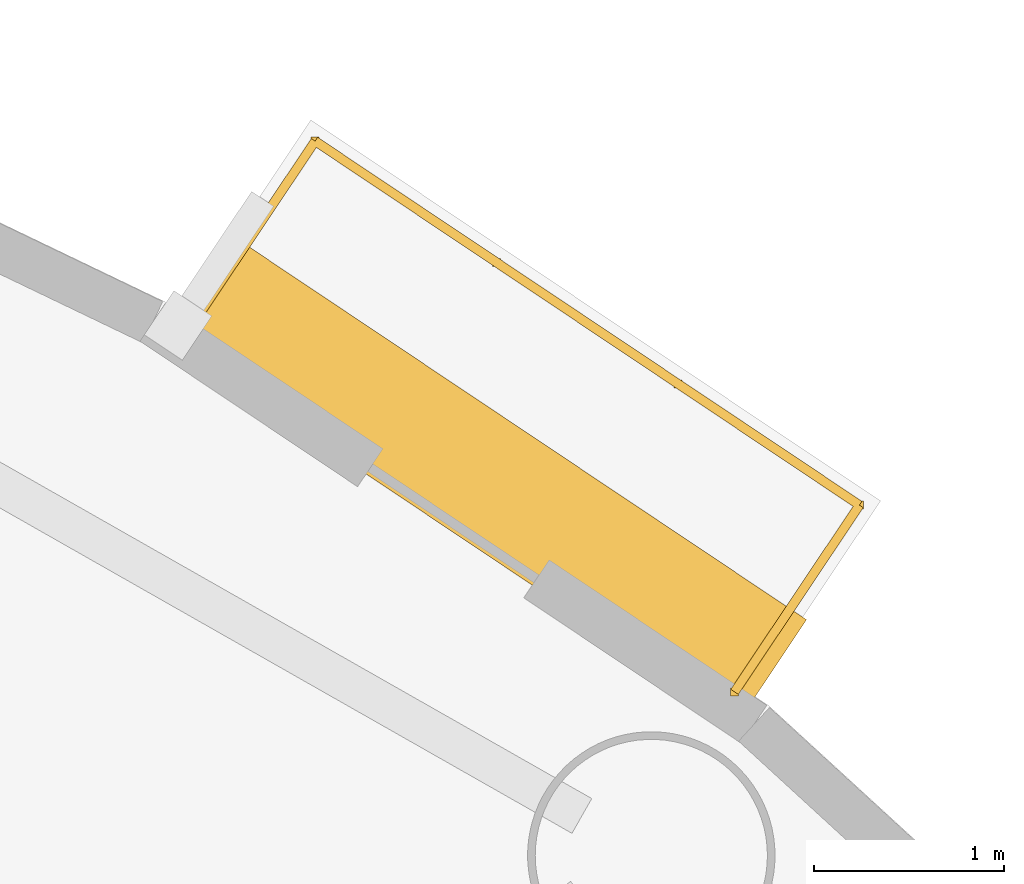
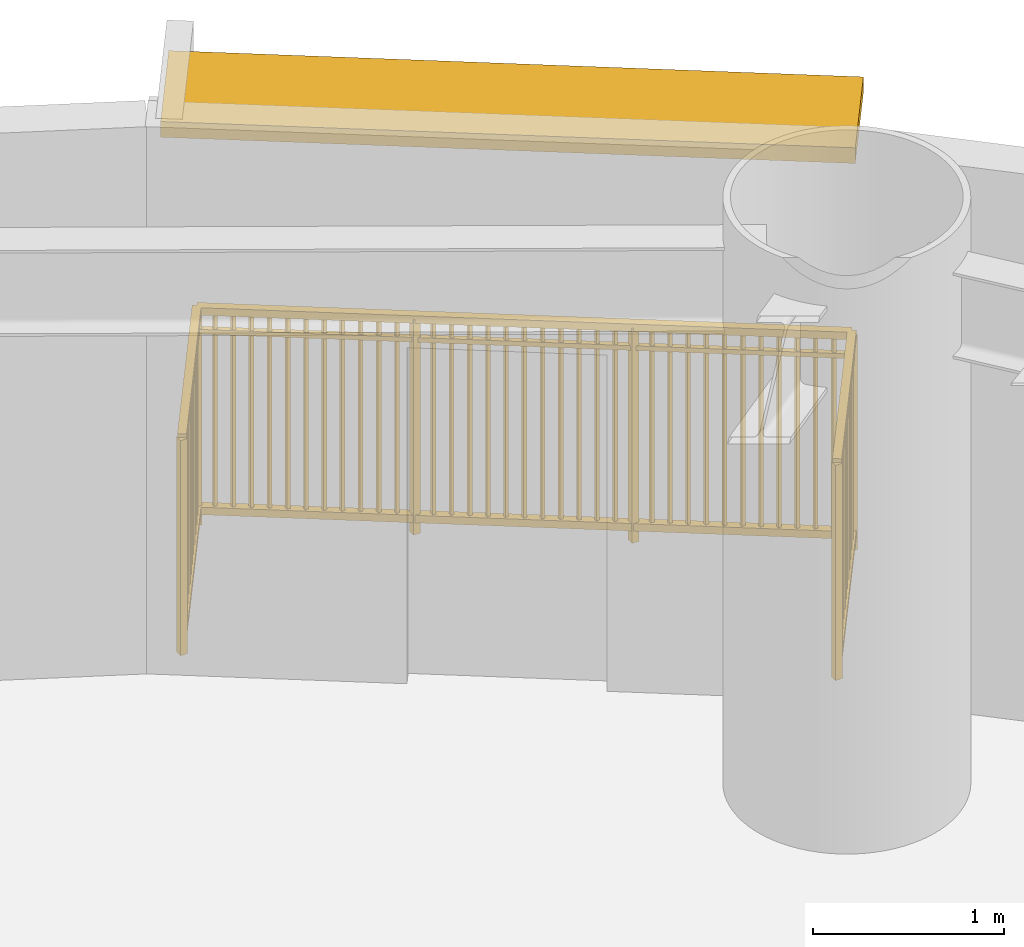
# One storey, part 21 of 21: 1 railing, 1 shading device.
"""IFC4 building model written with IfcOpenShell, lengths in metres."""

import ifcopenshell
import ifcopenshell.guid

model = None  # the IFC model being written
_history = None  # IfcOwnerHistory: only IFC2X3 demands one
_inside = {}  # id of a spatial element -> (the spatial element, [elements in it])
_under = {}  # id of a project, library or spatial element -> (it, [spatial elements below it])
_declared = {}  # id of a project -> (the project, [libraries it declares])
_typed = {}  # id of a type object -> (the type object, [elements of that type])
_made_of = {}  # id of a material, layer set ... -> (it, [elements and type objects made of it])


def new_model(schema):
    """Start an empty IFC model of exactly this schema.

    Asked for "IFC4X3", IfcOpenShell would pick the latest addendum, in which some entities
    have other attributes; the version numbers below select the first issue.
    IFC2X3 requires an IfcOwnerHistory on every rooted entity: one is made here for all.
    """
    global model, _history
    if schema == "IFC4X3":
        model = ifcopenshell.file(schema_version=(4, 3, 0, 0))
    else:
        model = ifcopenshell.file(schema=schema)
    _inside.clear()
    _under.clear()
    _declared.clear()
    _typed.clear()
    _made_of.clear()
    _history = None
    if model.schema == "IFC2X3":
        org = make("IfcOrganization", Name="unknown")
        user = make(
            "IfcPersonAndOrganization",
            ThePerson=make("IfcPerson", FamilyName="unknown"),
            TheOrganization=org,
        )
        app = make(
            "IfcApplication",
            ApplicationDeveloper=org,
            Version="unknown",
            ApplicationFullName="unknown",
            ApplicationIdentifier="unknown",
        )
        _history = make(
            "IfcOwnerHistory",
            OwningUser=user,
            OwningApplication=app,
            ChangeAction="ADDED",
            CreationDate=0,
        )
    return model


def make(cls, **values):
    """One entity of the class cls with the attributes given. An attribute that is None is left unset."""
    return model.create_entity(
        cls, **{name: value for name, value in values.items() if value is not None}
    )


def rooted(cls, **values):
    """An entity with a GlobalId (a new one), such as an element, a storey or a relation."""
    return make(cls, GlobalId=ifcopenshell.guid.new(), OwnerHistory=_history, **values)


def si_unit(unit_type, name, prefix=None):
    """IfcSIUnit, for example si_unit("LENGTHUNIT", "METRE", prefix="MILLI")."""
    return make("IfcSIUnit", UnitType=unit_type, Prefix=prefix, Name=name)


def assignment(units):
    """IfcUnitAssignment: the units of a project."""
    return None if units is None else make("IfcUnitAssignment", Units=units)


def point(xyz):
    """IfcCartesianPoint."""
    return None if xyz is None else make("IfcCartesianPoint", Coordinates=xyz)


def direction(xyz):
    """IfcDirection."""
    return None if xyz is None else make("IfcDirection", DirectionRatios=xyz)


def frame(location, z_axis=None, x_axis=None):
    """IfcAxis2Placement3D, a coordinate frame: its origin and axes. An axis left out is left unset."""
    return make(
        "IfcAxis2Placement3D",
        Location=point(location),
        Axis=direction(z_axis),
        RefDirection=direction(x_axis),
    )


def frame_2d(location, x_axis=None):
    """IfcAxis2Placement2D, a coordinate frame in the plane: its origin and x axis."""
    return make(
        "IfcAxis2Placement2D", Location=point(location), RefDirection=direction(x_axis)
    )


def origin():
    """The frame at (0, 0, 0) with its axes left unset."""
    return frame((0.0, 0.0, 0.0))


def origin_2d():
    """The frame at (0, 0) in the plane with its x axis left unset."""
    return frame_2d((0.0, 0.0))


def place(relative_to, where):
    """IfcLocalPlacement: puts the frame where relative to a parent placement (None: the world)."""
    return make(
        "IfcLocalPlacement", PlacementRelTo=relative_to, RelativePlacement=where
    )


def context(
    kind, dimensions, precision=None, world=None, true_north=None, identifier=None
):
    """IfcGeometricRepresentationContext, for example the 3D "Model" context."""
    return make(
        "IfcGeometricRepresentationContext",
        ContextIdentifier=identifier,
        ContextType=kind,
        CoordinateSpaceDimension=dimensions,
        Precision=precision,
        WorldCoordinateSystem=world,
        TrueNorth=true_north,
    )


def subcontext(parent, identifier, kind, view, scale=None):
    """IfcGeometricRepresentationSubContext, for example "Body" below "Model"."""
    return make(
        "IfcGeometricRepresentationSubContext",
        ContextIdentifier=identifier,
        ContextType=kind,
        ParentContext=parent,
        TargetScale=scale,
        TargetView=view,
    )


def project(units=None, contexts=None):
    """IfcProject with its units and contexts."""
    return rooted(
        "IfcProject",
        Name="project",
        RepresentationContexts=contexts,
        UnitsInContext=assignment(units),
    )


def spatial(cls, under=None, at=None, **own):
    """A site, building, storey or space (cls), placed at a placement, below another one or the project."""
    s = rooted(cls, ObjectPlacement=at, **own)
    if under is not None:
        _under.setdefault(under.id(), (under, []))[1].append(s)
    return s


def profile(cls, at=None, kind="AREA", **sizes):
    """A parametric profile (cls). Its sizes go by their IFC names, for example OverallWidth=200.0."""
    return make(cls, ProfileType=kind, Position=at, **sizes)


def rectangle(**sizes):
    """IfcRectangleProfileDef."""
    return profile("IfcRectangleProfileDef", **sizes)


def extrude(swept, where, along, depth):
    """IfcExtrudedAreaSolid: the profile swept, set in the frame where, extruded along a direction by depth."""
    return make(
        "IfcExtrudedAreaSolid",
        SweptArea=swept,
        Position=where,
        ExtrudedDirection=direction(along),
        Depth=depth,
    )


def shape(context_of_items, identifier, shape_type, items):
    """IfcShapeRepresentation: the items that make up one representation, for example the "Body"."""
    return make(
        "IfcShapeRepresentation",
        ContextOfItems=context_of_items,
        RepresentationIdentifier=identifier,
        RepresentationType=shape_type,
        Items=items,
    )


def source(mapping_origin, context_of_items, identifier, shape_type, items):
    """IfcRepresentationMap: a shape defined once, which mapped items show again and again."""
    return make(
        "IfcRepresentationMap",
        MappingOrigin=mapping_origin,
        MappedRepresentation=shape(context_of_items, identifier, shape_type, items),
    )


def transform(
    local_origin,
    x_axis=None,
    y_axis=None,
    z_axis=None,
    scale=None,
    scale2=None,
    scale3=None,
    uniform=True,
):
    """IfcCartesianTransformationOperator3D, or its non-uniform kind. x_axis, y_axis, z_axis: its Axis1, 2, 3."""
    if uniform:
        return make(
            "IfcCartesianTransformationOperator3D",
            Axis1=direction(x_axis),
            Axis2=direction(y_axis),
            LocalOrigin=point(local_origin),
            Scale=scale,
            Axis3=direction(z_axis),
        )
    return make(
        "IfcCartesianTransformationOperator3DnonUniform",
        Axis1=direction(x_axis),
        Axis2=direction(y_axis),
        LocalOrigin=point(local_origin),
        Scale=scale,
        Axis3=direction(z_axis),
        Scale2=scale2,
        Scale3=scale3,
    )


def mapped(mapping_source, mapping_target):
    """IfcMappedItem: shows the shape of a source again, moved by a transform."""
    return make(
        "IfcMappedItem", MappingSource=mapping_source, MappingTarget=mapping_target
    )


def material(Name=None, Category=None):
    """IfcMaterial."""
    return make("IfcMaterial", Name=Name, Category=Category)


def layer(
    of_material, thickness, ventilated=None, Name=None, Category=None, Priority=None
):
    """IfcMaterialLayer: one layer of a wall or slab, of a material (None: an air gap)."""
    return make(
        "IfcMaterialLayer",
        Material=of_material,
        LayerThickness=thickness,
        IsVentilated=ventilated,
        Name=Name,
        Category=Category,
        Priority=Priority,
    )


def layer_set(layers, Name=None):
    """IfcMaterialLayerSet."""
    return make("IfcMaterialLayerSet", MaterialLayers=layers, LayerSetName=Name)


def made_of(thing, what):
    """Note that an element or type object is made of a material, layer set ...; save() writes the relation."""
    if what is not None:
        _made_of.setdefault(what.id(), (what, []))[1].append(thing)
    return thing


def type_object(cls, material=None, **own):
    """A type object (cls), such as IfcWallType, which elements share."""
    return made_of(rooted(cls, **own), material)


def element(
    cls,
    number,
    at=None,
    inside=None,
    cuts=None,
    type_object=None,
    material=None,
    context=None,
    identifier="Body",
    shape_type=None,
    held_by="IfcProductDefinitionShape",
    body=None,
    shapes=None,
    **own,
):
    """One element of the class cls, such as IfcWall. Its Tag is "e" and its number.

    at: its placement. inside: the storey or other place that contains it. cuts: it is an
    opening in that element (IfcRelVoidsElement). A single representation is given by context,
    identifier, shape_type and body (its items); several are given by shapes. held_by: the class
    of the entity that holds the representations. save() writes the other relations.
    """
    e = rooted(cls, Tag="e%d" % number, ObjectPlacement=at, **own)
    if body is not None:
        shapes = [shape(context, identifier, shape_type, body)]
    if shapes is not None:
        e.Representation = make(held_by, Representations=shapes)
    if inside is not None:
        _inside.setdefault(inside.id(), (inside, []))[1].append(e)
    if cuts is not None:
        rooted(
            "IfcRelVoidsElement", RelatingBuildingElement=cuts, RelatedOpeningElement=e
        )
    if type_object is not None:
        _typed.setdefault(type_object.id(), (type_object, []))[1].append(e)
    return made_of(e, material)


def aggregate(whole, parts):
    """IfcRelAggregates: a whole, such as a stair, and the parts it consists of."""
    return rooted("IfcRelAggregates", RelatingObject=whole, RelatedObjects=parts)


def save(model, path):
    """Write the relations noted so far, then the file.

    IfcRelAggregates (storeys below a building ...), IfcRelContainedInSpatialStructure (elements
    in a storey), IfcRelDefinesByType, IfcRelAssociatesMaterial and IfcRelDeclares: one each for
    every whole, place, type object, material and project.
    """
    for whole, parts in _under.values():
        aggregate(whole, parts)
    for where, things in _inside.values():
        rooted(
            "IfcRelContainedInSpatialStructure",
            RelatedElements=things,
            RelatingStructure=where,
        )
    for kind, things in _typed.values():
        rooted("IfcRelDefinesByType", RelatedObjects=things, RelatingType=kind)
    for what, things in _made_of.values():
        rooted("IfcRelAssociatesMaterial", RelatedObjects=things, RelatingMaterial=what)
    for by, libraries in _declared.values():
        rooted("IfcRelDeclares", RelatingContext=by, RelatedDefinitions=libraries)
    model.write(path)


model = new_model("IFC4")

# Units and contexts
model_context = context("Model", 3, precision=1e-05, world=origin(), true_north=direction((0.0, 1.0)))
body_context = subcontext(model_context, "Body", "Model", "MODEL_VIEW")
ifc_project = project(units=[si_unit("LENGTHUNIT", "METRE"), si_unit("AREAUNIT", "SQUARE_METRE"), si_unit("VOLUMEUNIT", "CUBIC_METRE"), si_unit("PLANEANGLEUNIT", "RADIAN"), si_unit("MASSUNIT", "GRAM", prefix="KILO")], contexts=[model_context])

# Site, building, storey
site_placement = place(None, origin())
site = spatial("IfcSite", under=ifc_project, at=site_placement, CompositionType="ELEMENT")
building_placement = place(site_placement, origin())
building = spatial("IfcBuilding", under=site, at=building_placement, Name="Linh Dai School and Residence Tower", CompositionType="ELEMENT")
storey_placement = place(building_placement, frame((0.0, 0.0, 156.14990234375)))
storey = spatial("IfcBuildingStorey", under=building, at=storey_placement, Name="L37", CompositionType="ELEMENT", Elevation=156.14990234375)

# Railing
ifc_material_1 = material(Name="Structural Steel S355JR", Category="steel")
railing_type = type_object("IfcRailingType", Name="RL-BAL-1400", PredefinedType="BALUSTRADE", material=ifc_material_1)
shared_shape_1 = source(origin(), body_context, "Body", "SweptSolid", [
    extrude(rectangle(XDim=0.048095703125, YDim=0.048095703125, at=origin_2d()), frame((0.0, 0.0, 1.3759765625), z_axis=(0.555845809438, 0.831285411956, 0.0), x_axis=(-0.831285411956, 0.555845809438, 0.0)), (0.0, 0.0, 1.0), 1.1796875),
    extrude(rectangle(XDim=0.048095703125, YDim=0.048095703125, at=origin_2d()), frame((0.0, 0.0, 0.10009765625), z_axis=(0.555845809438, 0.831285411956, 0.0), x_axis=(-0.831285411956, 0.555845809438, 0.0)), (0.0, 0.0, 1.0), 1.1796875),
    extrude(rectangle(XDim=0.030029296875, YDim=0.030029296875, at=origin_2d()), frame((0.0, 0.0, 1.239990234375), z_axis=(0.555845809438, 0.831285411956, 0.0), x_axis=(-0.831285411956, 0.555845809438, 0.0)), (0.0, 0.0, 1.0), 1.1796875),
    extrude(rectangle(XDim=0.02001953125, YDim=0.02001953125, at=origin_2d()), frame((0.050537109375, 0.075439453125, 0.10009765625)), (0.0, 0.0, 1.0), 1.251708984375),
    extrude(rectangle(XDim=0.02001953125, YDim=0.02001953125, at=origin_2d()), frame((0.100830078125, 0.15087890625, 0.10009765625)), (0.0, 0.0, 1.0), 1.251708984375),
    extrude(rectangle(XDim=0.02001953125, YDim=0.02001953125, at=origin_2d()), frame((0.1513671875, 0.226318359375, 0.10009765625)), (0.0, 0.0, 1.0), 1.251708984375),
    extrude(rectangle(XDim=0.02001953125, YDim=0.02001953125, at=origin_2d()), frame((0.20166015625, 0.3017578125, 0.10009765625)), (0.0, 0.0, 1.0), 1.251708984375),
    extrude(rectangle(XDim=0.02001953125, YDim=0.02001953125, at=origin_2d()), frame((0.252197265625, 0.377197265625, 0.10009765625)), (0.0, 0.0, 1.0), 1.251708984375),
    extrude(rectangle(XDim=0.02001953125, YDim=0.02001953125, at=origin_2d()), frame((0.302734375, 0.45263671875, 0.10009765625)), (0.0, 0.0, 1.0), 1.251708984375),
    extrude(rectangle(XDim=0.02001953125, YDim=0.02001953125, at=origin_2d()), frame((0.35302734375, 0.528076171875, 0.10009765625)), (0.0, 0.0, 1.0), 1.251708984375),
    extrude(rectangle(XDim=0.02001953125, YDim=0.02001953125, at=origin_2d()), frame((0.403564453125, 0.603515625, 0.10009765625)), (0.0, 0.0, 1.0), 1.251708984375),
    extrude(rectangle(XDim=0.02001953125, YDim=0.02001953125, at=origin_2d()), frame((0.4541015625, 0.678955078125, 0.10009765625)), (0.0, 0.0, 1.0), 1.251708984375),
    extrude(rectangle(XDim=0.02001953125, YDim=0.02001953125, at=origin_2d()), frame((0.50439453125, 0.75439453125, 0.10009765625)), (0.0, 0.0, 1.0), 1.251708984375),
    extrude(rectangle(XDim=0.02001953125, YDim=0.02001953125, at=origin_2d()), frame((0.554931640625, 0.829833984375, 0.10009765625)), (0.0, 0.0, 1.0), 1.251708984375),
    extrude(rectangle(XDim=0.02001953125, YDim=0.02001953125, at=origin_2d()), frame((0.605224609375, 0.9052734375, 0.10009765625)), (0.0, 0.0, 1.0), 1.251708984375),
    extrude(rectangle(XDim=0.048095703125, YDim=0.048095703125, at=origin_2d()), frame((0.65576171875, 0.980712890625, 1.3759765625), z_axis=(0.831252406141, -0.555895167532, 0.0), x_axis=(0.555895167532, 0.831252406141, 0.0)), (0.0, 0.0, 1.0), 3.440185546875),
    extrude(rectangle(XDim=0.048095703125, YDim=0.048095703125, at=origin_2d()), frame((0.65576171875, 0.980712890625, 0.10009765625), z_axis=(0.831252406141, -0.555895167532, 0.0), x_axis=(0.555895167532, 0.831252406141, 0.0)), (0.0, 0.0, 1.0), 3.440185546875),
    extrude(rectangle(XDim=0.030029296875, YDim=0.030029296875, at=origin_2d()), frame((0.65576171875, 0.980712890625, 1.239990234375), z_axis=(0.831252406141, -0.555895167532, 0.0), x_axis=(0.555895167532, 0.831252406141, 0.0)), (0.0, 0.0, 1.0), 3.440185546875),
    extrude(rectangle(XDim=0.02001953125, YDim=0.02001953125, at=origin_2d()), frame((0.735107421875, 0.927490234375, 0.10009765625)), (0.0, 0.0, 1.0), 1.251708984375),
    extrude(rectangle(XDim=0.02001953125, YDim=0.02001953125, at=origin_2d()), frame((0.814697265625, 0.87451171875, 0.10009765625)), (0.0, 0.0, 1.0), 1.251708984375),
    extrude(rectangle(XDim=0.02001953125, YDim=0.02001953125, at=origin_2d()), frame((0.89404296875, 0.8212890625, 0.10009765625)), (0.0, 0.0, 1.0), 1.251708984375),
    extrude(rectangle(XDim=0.02001953125, YDim=0.02001953125, at=origin_2d()), frame((0.973388671875, 0.768310546875, 0.10009765625)), (0.0, 0.0, 1.0), 1.251708984375),
    extrude(rectangle(XDim=0.02001953125, YDim=0.02001953125, at=origin_2d()), frame((1.052978515625, 0.715087890625, 0.10009765625)), (0.0, 0.0, 1.0), 1.251708984375),
    extrude(rectangle(XDim=0.02001953125, YDim=0.02001953125, at=origin_2d()), frame((1.13232421875, 0.662109375, 0.10009765625)), (0.0, 0.0, 1.0), 1.251708984375),
    extrude(rectangle(XDim=0.02001953125, YDim=0.02001953125, at=origin_2d()), frame((1.2119140625, 0.60888671875, 0.10009765625)), (0.0, 0.0, 1.0), 1.251708984375),
    extrude(rectangle(XDim=0.02001953125, YDim=0.02001953125, at=origin_2d()), frame((1.291259765625, 0.5556640625, 0.10009765625)), (0.0, 0.0, 1.0), 1.251708984375),
    extrude(rectangle(XDim=0.02001953125, YDim=0.02001953125, at=origin_2d()), frame((1.37060546875, 0.502685546875, 0.10009765625)), (0.0, 0.0, 1.0), 1.251708984375),
    extrude(rectangle(XDim=0.02001953125, YDim=0.02001953125, at=origin_2d()), frame((1.4501953125, 0.449462890625, 0.10009765625)), (0.0, 0.0, 1.0), 1.251708984375),
    extrude(rectangle(XDim=0.02001953125, YDim=0.02001953125, at=origin_2d()), frame((1.529541015625, 0.396484375, 0.10009765625)), (0.0, 0.0, 1.0), 1.251708984375),
    extrude(rectangle(XDim=0.02001953125, YDim=0.02001953125, at=origin_2d()), frame((1.6884765625, 0.2900390625, 0.10009765625)), (0.0, 0.0, 1.0), 1.251708984375),
    extrude(rectangle(XDim=0.02001953125, YDim=0.02001953125, at=origin_2d()), frame((1.767822265625, 0.237060546875, 0.10009765625)), (0.0, 0.0, 1.0), 1.251708984375),
    extrude(rectangle(XDim=0.02001953125, YDim=0.02001953125, at=origin_2d()), frame((1.84716796875, 0.183837890625, 0.10009765625)), (0.0, 0.0, 1.0), 1.251708984375),
    extrude(rectangle(XDim=0.02001953125, YDim=0.02001953125, at=origin_2d()), frame((1.9267578125, 0.130859375, 0.10009765625)), (0.0, 0.0, 1.0), 1.251708984375),
    extrude(rectangle(XDim=0.02001953125, YDim=0.02001953125, at=origin_2d()), frame((2.006103515625, 0.07763671875, 0.10009765625)), (0.0, 0.0, 1.0), 1.251708984375),
    extrude(rectangle(XDim=0.02001953125, YDim=0.02001953125, at=origin_2d()), frame((2.08544921875, 0.0244140625, 0.10009765625)), (0.0, 0.0, 1.0), 1.251708984375),
    extrude(rectangle(XDim=0.02001953125, YDim=0.02001953125, at=origin_2d()), frame((2.1650390625, -0.028564453125, 0.10009765625)), (0.0, 0.0, 1.0), 1.251708984375),
    extrude(rectangle(XDim=0.02001953125, YDim=0.02001953125, at=origin_2d()), frame((2.244384765625, -0.081787109375, 0.10009765625)), (0.0, 0.0, 1.0), 1.251708984375),
    extrude(rectangle(XDim=0.02001953125, YDim=0.02001953125, at=origin_2d()), frame((2.323974609375, -0.134765625, 0.10009765625)), (0.0, 0.0, 1.0), 1.251708984375),
    extrude(rectangle(XDim=0.02001953125, YDim=0.02001953125, at=origin_2d()), frame((2.4033203125, -0.18798828125, 0.10009765625)), (0.0, 0.0, 1.0), 1.251708984375),
    extrude(rectangle(XDim=0.02001953125, YDim=0.02001953125, at=origin_2d()), frame((2.482666015625, -0.240966796875, 0.10009765625)), (0.0, 0.0, 1.0), 1.251708984375),
    extrude(rectangle(XDim=0.02001953125, YDim=0.02001953125, at=origin_2d()), frame((2.6416015625, -0.347412109375, 0.10009765625)), (0.0, 0.0, 1.0), 1.251708984375),
    extrude(rectangle(XDim=0.02001953125, YDim=0.02001953125, at=origin_2d()), frame((2.720947265625, -0.400390625, 0.10009765625)), (0.0, 0.0, 1.0), 1.251708984375),
    extrude(rectangle(XDim=0.02001953125, YDim=0.02001953125, at=origin_2d()), frame((2.800537109375, -0.45361328125, 0.10009765625)), (0.0, 0.0, 1.0), 1.251708984375),
    extrude(rectangle(XDim=0.02001953125, YDim=0.02001953125, at=origin_2d()), frame((2.8798828125, -0.506591796875, 0.10009765625)), (0.0, 0.0, 1.0), 1.251708984375),
    extrude(rectangle(XDim=0.02001953125, YDim=0.02001953125, at=origin_2d()), frame((2.959228515625, -0.559814453125, 0.10009765625)), (0.0, 0.0, 1.0), 1.251708984375),
    extrude(rectangle(XDim=0.02001953125, YDim=0.02001953125, at=origin_2d()), frame((3.038818359375, -0.61279296875, 0.10009765625)), (0.0, 0.0, 1.0), 1.251708984375),
    extrude(rectangle(XDim=0.02001953125, YDim=0.02001953125, at=origin_2d()), frame((3.1181640625, -0.666015625, 0.10009765625)), (0.0, 0.0, 1.0), 1.251708984375),
    extrude(rectangle(XDim=0.02001953125, YDim=0.02001953125, at=origin_2d()), frame((3.19775390625, -0.71923828125, 0.10009765625)), (0.0, 0.0, 1.0), 1.251708984375),
    extrude(rectangle(XDim=0.02001953125, YDim=0.02001953125, at=origin_2d()), frame((3.277099609375, -0.772216796875, 0.10009765625)), (0.0, 0.0, 1.0), 1.251708984375),
    extrude(rectangle(XDim=0.02001953125, YDim=0.02001953125, at=origin_2d()), frame((3.3564453125, -0.825439453125, 0.10009765625)), (0.0, 0.0, 1.0), 1.251708984375),
    extrude(rectangle(XDim=0.02001953125, YDim=0.02001953125, at=origin_2d()), frame((3.43603515625, -0.87841796875, 0.10009765625)), (0.0, 0.0, 1.0), 1.251708984375),
    extrude(rectangle(XDim=0.048095703125, YDim=0.048095703125, at=origin_2d()), frame((3.515380859375, -0.931640625, 1.3759765625), z_axis=(-0.55589317819, -0.831253736498, 0.0), x_axis=(0.831253736498, -0.55589317819, 0.0)), (0.0, 0.0, 1.0), 1.18017578125),
    extrude(rectangle(XDim=0.048095703125, YDim=0.048095703125, at=origin_2d()), frame((3.515380859375, -0.931640625, 0.10009765625), z_axis=(-0.55589317819, -0.831253736498, 0.0), x_axis=(0.831253736498, -0.55589317819, 0.0)), (0.0, 0.0, 1.0), 1.18017578125),
    extrude(rectangle(XDim=0.030029296875, YDim=0.030029296875, at=origin_2d()), frame((3.515380859375, -0.931640625, 1.239990234375), z_axis=(-0.55589317819, -0.831253736498, 0.0), x_axis=(0.831253736498, -0.55589317819, 0.0)), (0.0, 0.0, 1.0), 1.18017578125),
    extrude(rectangle(XDim=0.02001953125, YDim=0.02001953125, at=origin_2d()), frame((3.46484375, -1.007080078125, 0.10009765625)), (0.0, 0.0, 1.0), 1.251708984375),
    extrude(rectangle(XDim=0.02001953125, YDim=0.02001953125, at=origin_2d()), frame((3.41455078125, -1.08251953125, 0.10009765625)), (0.0, 0.0, 1.0), 1.251708984375),
    extrude(rectangle(XDim=0.02001953125, YDim=0.02001953125, at=origin_2d()), frame((3.364013671875, -1.157958984375, 0.10009765625)), (0.0, 0.0, 1.0), 1.251708984375),
    extrude(rectangle(XDim=0.02001953125, YDim=0.02001953125, at=origin_2d()), frame((3.3134765625, -1.2333984375, 0.10009765625)), (0.0, 0.0, 1.0), 1.251708984375),
    extrude(rectangle(XDim=0.02001953125, YDim=0.02001953125, at=origin_2d()), frame((3.26318359375, -1.308837890625, 0.10009765625)), (0.0, 0.0, 1.0), 1.251708984375),
    extrude(rectangle(XDim=0.02001953125, YDim=0.02001953125, at=origin_2d()), frame((3.212646484375, -1.38427734375, 0.10009765625)), (0.0, 0.0, 1.0), 1.251708984375),
    extrude(rectangle(XDim=0.02001953125, YDim=0.02001953125, at=origin_2d()), frame((3.162109375, -1.4599609375, 0.10009765625)), (0.0, 0.0, 1.0), 1.251708984375),
    extrude(rectangle(XDim=0.02001953125, YDim=0.02001953125, at=origin_2d()), frame((3.111572265625, -1.535400390625, 0.10009765625)), (0.0, 0.0, 1.0), 1.251708984375),
    extrude(rectangle(XDim=0.02001953125, YDim=0.02001953125, at=origin_2d()), frame((3.061279296875, -1.61083984375, 0.10009765625)), (0.0, 0.0, 1.0), 1.251708984375),
    extrude(rectangle(XDim=0.02001953125, YDim=0.02001953125, at=origin_2d()), frame((3.0107421875, -1.686279296875, 0.10009765625)), (0.0, 0.0, 1.0), 1.251708984375),
    extrude(rectangle(XDim=0.02001953125, YDim=0.02001953125, at=origin_2d()), frame((2.960205078125, -1.76171875, 0.10009765625)), (0.0, 0.0, 1.0), 1.251708984375),
    extrude(rectangle(XDim=0.02001953125, YDim=0.02001953125, at=origin_2d()), frame((2.909912109375, -1.837158203125, 0.10009765625)), (0.0, 0.0, 1.0), 1.251708984375),
    extrude(rectangle(XDim=0.0419921875, YDim=0.0419921875, at=origin_2d()), origin(), (0.0, 0.0, 1.0), 1.3759765625),
    extrude(rectangle(XDim=0.0419921875, YDim=0.0419921875, at=origin_2d()), frame((0.65576171875, 0.980712890625, 0.0)), (0.0, 0.0, 1.0), 1.3759765625),
    extrude(rectangle(XDim=0.0419921875, YDim=0.0419921875, at=origin_2d()), frame((1.60888671875, 0.34326171875, 0.0)), (0.0, 0.0, 1.0), 1.3759765625),
    extrude(rectangle(XDim=0.0419921875, YDim=0.0419921875, at=origin_2d()), frame((2.562255859375, -0.294189453125, 0.0)), (0.0, 0.0, 1.0), 1.3759765625),
    extrude(rectangle(XDim=0.0419921875, YDim=0.0419921875, at=origin_2d()), frame((3.515380859375, -0.931640625, 0.0)), (0.0, 0.0, 1.0), 1.3759765625),
    extrude(rectangle(XDim=0.0419921875, YDim=0.0419921875, at=origin_2d()), frame((2.859375, -1.91259765625, 0.0)), (0.0, 0.0, 1.0), 1.3759765625),
])
railing_placement = place(storey_placement, frame((51.770263671875, 43.7138671875, 0.0)))
element("IfcRailing", 1, at=railing_placement, inside=storey, type_object=railing_type, Name="L37 Balcony Safety Balustrade 06", PredefinedType="BALUSTRADE", context=body_context, shape_type="MappedRepresentation", body=[
    mapped(shared_shape_1, transform((0.0, 0.0, 0.0), x_axis=(1.0, 0.0, 0.0), y_axis=(0.0, 1.0, 0.0), z_axis=(0.0, 0.0, 1.0), scale=1.0)),
])

# Shading device
ifc_material_2 = material(Name="Terracotta Ceramic Sunshade", Category="masonry")
ifc_layer = layer(ifc_material_2, 0.10009765625)
ifc_layer_set = layer_set([ifc_layer], Name="Terracotta Ceramic Sunshade")
shading_device_type = type_object("IfcShadingDeviceType", Name="SHD-TC-650", PredefinedType="USERDEFINED", material=ifc_layer_set)
shared_shape_2 = source(origin(), body_context, "Body", "SweptSolid", [
    extrude(rectangle(XDim=3.64794921875, YDim=0.64990234375, at=origin_2d()), origin(), (0.0, 0.0, 1.0), 0.10009765625),
])
shading_device_placement = place(storey_placement, frame((53.31103515625, 42.923828125, 3.380126953125), z_axis=(0.0, 0.0, 1.0), x_axis=(0.831228338651, -0.555931154932, 0.0)))
element("IfcShadingDevice", 2, at=shading_device_placement, inside=storey, type_object=shading_device_type, Name="L37 Terracotta Horizontal Sunshade Band 06", ObjectType="SUNSHADE", PredefinedType="USERDEFINED", context=body_context, shape_type="MappedRepresentation", body=[
    mapped(shared_shape_2, transform((0.0, 0.0, 0.0), x_axis=(1.0, 0.0, 0.0), y_axis=(0.0, 1.0, 0.0), z_axis=(0.0, 0.0, 1.0), scale=1.0)),
])

save(model, "model.ifc")
